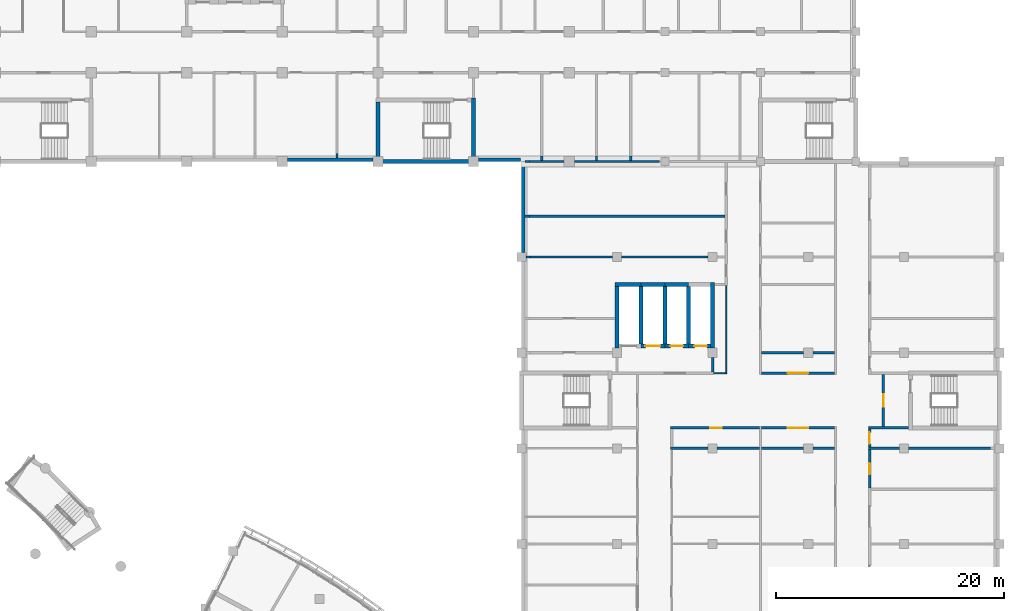
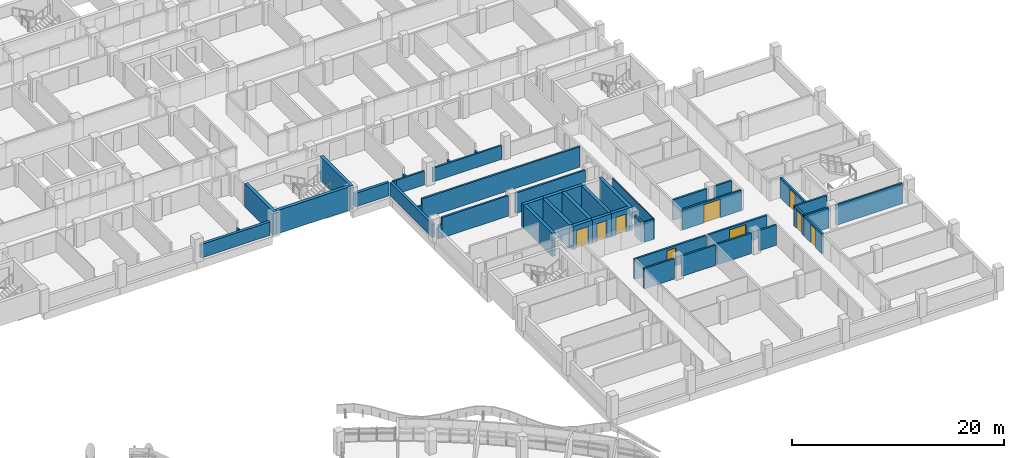
# One storey, part 56 of 89: 47 walls, 9 doors, 9 openings.
"""IFC4 building model written with IfcOpenShell, lengths in metres."""

from ifc_helpers import new_model, si_unit, direction, frame, frame_2d, origin, place, context, subcontext, project, spatial, rectangle, extrude, material, layer, layer_set, type_object, element, fill, save


model = new_model("IFC4")

# Units and contexts
model_context = context("Model", 3, precision=1e-05, world=origin(), true_north=direction((0.0, 1.0)))
body_context = subcontext(model_context, "Body", "Model", "MODEL_VIEW")
ifc_project = project(units=[si_unit("LENGTHUNIT", "METRE"), si_unit("AREAUNIT", "SQUARE_METRE"), si_unit("VOLUMEUNIT", "CUBIC_METRE"), si_unit("PLANEANGLEUNIT", "RADIAN"), si_unit("MASSUNIT", "GRAM", prefix="KILO")], contexts=[model_context])

# Site, building, storey
site_placement = place(None, origin())
site = spatial("IfcSite", under=ifc_project, at=site_placement, CompositionType="ELEMENT")
building_placement = place(site_placement, origin())
building = spatial("IfcBuilding", under=site, at=building_placement, Name="Bougainvillea Quay General Hospital", CompositionType="ELEMENT")
storey_placement = place(building_placement, frame((0.0, 0.0, 9.89990234375)))
storey = spatial("IfcBuildingStorey", under=building, at=storey_placement, Name="L01M", CompositionType="ELEMENT", Elevation=9.89990234375)

# Walls
ifc_material_1 = material(Name="Pale stone rainscreen cladding on insulated masonry backing, pale stone", Category="masonry")
ifc_layer_1 = layer(ifc_material_1, 0.300048828125)
ifc_layer_set_1 = layer_set([ifc_layer_1], Name="Pale stone rainscreen cladding on insulated masonry backing, pale stone")
wall_type_1 = type_object("IfcWallType", Name="External wall pale stone rainscreen 300", PredefinedType="STANDARD", material=ifc_layer_set_1)
wall_1_placement = place(storey_placement, frame((163.949951171875, 117.5400390625, 0.0), z_axis=(0.0, 0.0, 1.0), x_axis=(0.0, -1.0, 0.0)))
element("IfcWall", 1, at=wall_1_placement, inside=storey, type_object=wall_type_1, Name="External wall wall/V3/L01M/p0/00a", PredefinedType="STANDARD", context=body_context, shape_type="SweptSolid", body=[
    extrude(rectangle(XDim=7.93994140625, YDim=0.300048828125, at=frame_2d((3.969970703125, 0.0))), origin(), (0.0, 0.0, 1.0), 1.550048828125),
])
wall_2_placement = place(storey_placement, frame((143.25, 117.75, 0.0), z_axis=(0.0, 0.0, 1.0), x_axis=(1.0, 0.0, 0.0)))
element("IfcWall", 2, at=wall_2_placement, inside=storey, type_object=wall_type_1, Name="External wall wall/V4/L01M/p1/04e", PredefinedType="STANDARD", context=body_context, shape_type="SweptSolid", body=[
    extrude(rectangle(XDim=7.5, YDim=0.300048828125, at=frame_2d((3.75, 0.0))), origin(), (0.0, 0.0, 1.0), 1.550048828125),
])
wall_3_placement = place(storey_placement, frame((160.050048828125, 117.75, 0.0), z_axis=(0.0, 0.0, 1.0), x_axis=(1.0, 0.0, 0.0)))
element("IfcWall", 3, at=wall_3_placement, inside=storey, type_object=wall_type_1, Name="External wall wall/V4/L01M/p1/04f", PredefinedType="STANDARD", context=body_context, shape_type="SweptSolid", body=[
    extrude(rectangle(XDim=3.68994140625, YDim=0.300048828125, at=frame_2d((1.844970703125, 0.0))), origin(), (0.0, 0.0, 1.0), 1.550048828125),
])
ifc_material_2 = material(Name="Gypsum board partition on steel studs", Category="steel")
ifc_layer_2 = layer(ifc_material_2, 0.10009765625)
ifc_layer_set_2 = layer_set([ifc_layer_2], Name="Gypsum board partition on steel studs")
wall_type_2 = type_object("IfcWallType", Name="Partition 100 Gypsum board partition", PredefinedType="PARTITIONING", material=ifc_layer_set_2)
wall_4_placement = place(storey_placement, frame((181.800048828125, 98.949951171875, 0.0), z_axis=(0.0, 0.0, 1.0), x_axis=(0.0, 1.0, 0.0)))
element("IfcWall", 4, at=wall_4_placement, inside=storey, type_object=wall_type_2, Name="Partition 100 mm", PredefinedType="PARTITIONING", context=body_context, shape_type="SweptSolid", body=[
    extrude(rectangle(XDim=7.75, YDim=0.10009765625, at=frame_2d((3.875, 0.0))), origin(), (0.0, 0.0, 1.0), 2.35009765625),
])
wall_5_placement = place(storey_placement, frame((180.699951171875, 99.0, 0.0), z_axis=(0.0, 0.0, 1.0), x_axis=(1.0, 0.0, 0.0)))
element("IfcWall", 5, at=wall_5_placement, inside=storey, type_object=wall_type_2, Name="Partition 100 mm", PredefinedType="PARTITIONING", context=body_context, shape_type="SweptSolid", body=[
    extrude(rectangle(XDim=1.050048828125, YDim=0.10009765625, at=frame_2d((0.52490234375, 0.0))), origin(), (0.0, 0.0, 1.0), 2.35009765625),
])
ifc_material_3 = material(Name="Fire-rated autoclaved aerated block wall, plastered")
ifc_layer_3 = layer(ifc_material_3, 0.199951171875)
ifc_layer_set_3 = layer_set([ifc_layer_3], Name="Fire-rated autoclaved aerated block wall, plastered")
wall_type_3 = type_object("IfcWallType", Name="Partition 200 Fire-rated autoclaved aerated block wall EI 120", PredefinedType="SOLIDWALL", material=ifc_layer_set_3)
wall_6_placement = place(storey_placement, frame((175.949951171875, 117.60009765625, 0.0), z_axis=(0.0, 0.0, 1.0), x_axis=(-1.0, 0.0, 0.0)))
element("IfcWall", 6, at=wall_6_placement, inside=storey, type_object=wall_type_3, Name="Partition 200 mm EI 120", PredefinedType="SOLIDWALL", context=body_context, shape_type="SweptSolid", body=[
    extrude(rectangle(XDim=7.5, YDim=0.199951171875, at=frame_2d((3.75, 0.0))), origin(), (0.0, 0.0, 1.0), 1.580078125),
])
wall_7_placement = place(storey_placement, frame((167.550048828125, 117.60009765625, 0.0), z_axis=(0.0, 0.0, 1.0), x_axis=(-1.0, 0.0, 0.0)))
element("IfcWall", 7, at=wall_7_placement, inside=storey, type_object=wall_type_3, Name="Partition 200 mm EI 120", PredefinedType="SOLIDWALL", context=body_context, shape_type="SweptSolid", body=[
    extrude(rectangle(XDim=3.050048828125, YDim=0.199951171875, at=frame_2d((1.52490234375, 0.0))), origin(), (0.0, 0.0, 1.0), 1.580078125),
])
wall_8_placement = place(storey_placement, frame((164.5, 117.60009765625, 0.0), z_axis=(0.0, 0.0, 1.0), x_axis=(-1.0, 0.0, 0.0)))
element("IfcWall", 8, at=wall_8_placement, inside=storey, type_object=wall_type_3, Name="Partition 200 mm EI 120", PredefinedType="SOLIDWALL", context=body_context, shape_type="SweptSolid", body=[
    extrude(rectangle(XDim=0.39990234375, YDim=0.199951171875, at=frame_2d((0.199951171875, 0.0))), origin(), (0.0, 0.0, 1.0), 1.580078125),
])
wall_9_placement = place(storey_placement, frame((164.199951171875, 109.199951171875, 0.0), z_axis=(0.0, 0.0, 1.0), x_axis=(1.0, 0.0, 0.0)))
element("IfcWall", 9, at=wall_9_placement, inside=storey, type_object=wall_type_3, Name="Partition 200 mm EI 120", PredefinedType="SOLIDWALL", context=body_context, shape_type="SweptSolid", body=[
    extrude(rectangle(XDim=0.400146484375, YDim=0.199951171875, at=frame_2d((0.2001953125, 0.0))), origin(), (0.0, 0.0, 1.0), 1.580078125),
])
wall_10_placement = place(storey_placement, frame((164.60009765625, 109.199951171875, 0.0), z_axis=(0.0, 0.0, 1.0), x_axis=(1.0, 0.0, 0.0)))
element("IfcWall", 10, at=wall_10_placement, inside=storey, type_object=wall_type_3, Name="Partition 200 mm EI 120", PredefinedType="SOLIDWALL", context=body_context, shape_type="SweptSolid", body=[
    extrude(rectangle(XDim=7.199951171875, YDim=0.199951171875, at=frame_2d((3.60009765625, 0.0))), origin(), (0.0, 0.0, 1.0), 2.35009765625),
])
wall_11_placement = place(storey_placement, frame((172.60009765625, 109.199951171875, 0.0), z_axis=(0.0, 0.0, 1.0), x_axis=(1.0, 0.0, 0.0)))
element("IfcWall", 11, at=wall_11_placement, inside=storey, type_object=wall_type_3, Name="Partition 200 mm EI 120", PredefinedType="SOLIDWALL", context=body_context, shape_type="SweptSolid", body=[
    extrude(rectangle(XDim=7.599853515625, YDim=0.199951171875, at=frame_2d((3.7998046875, 0.0))), origin(), (0.0, 0.0, 1.0), 2.35009765625),
])
wall_12_placement = place(storey_placement, frame((164.10009765625, 112.798095703125, 0.0), z_axis=(0.0, 0.0, 1.0), x_axis=(1.0, 0.0, 0.0)))
element("IfcWall", 12, at=wall_12_placement, inside=storey, type_object=wall_type_3, Name="Partition 200 mm EI 120", PredefinedType="SOLIDWALL", context=body_context, shape_type="SweptSolid", body=[
    extrude(rectangle(XDim=0.39990234375, YDim=0.199951171875, at=frame_2d((0.199951171875, 0.0))), origin(), (0.0, 0.0, 1.0), 1.580078125),
])
wall_13_placement = place(storey_placement, frame((164.5, 112.798095703125, 0.0), z_axis=(0.0, 0.0, 1.0), x_axis=(1.0, 0.0, 0.0)))
element("IfcWall", 13, at=wall_13_placement, inside=storey, type_object=wall_type_3, Name="Partition 200 mm EI 120", PredefinedType="SOLIDWALL", context=body_context, shape_type="SweptSolid", body=[
    extrude(rectangle(XDim=17.199951171875, YDim=0.199951171875, at=frame_2d((8.60009765625, 0.0))), origin(), (0.0, 0.0, 1.0), 2.35009765625),
])
wall_14_placement = place(storey_placement, frame((194.300048828125, 92.39990234375, 0.0), z_axis=(0.0, 0.0, 1.0), x_axis=(1.0, 0.0, 0.0)))
element("IfcWall", 14, at=wall_14_placement, inside=storey, type_object=wall_type_3, Name="Partition 200 mm EI 120", PredefinedType="SOLIDWALL", context=body_context, shape_type="SweptSolid", body=[
    extrude(rectangle(XDim=2.699951171875, YDim=0.199951171875, at=frame_2d((1.35009765625, 0.0))), origin(), (0.0, 0.0, 1.0), 2.35009765625),
])
wall_15_placement = place(storey_placement, frame((197.800048828125, 92.39990234375, 0.0), z_axis=(0.0, 0.0, 1.0), x_axis=(1.0, 0.0, 0.0)))
element("IfcWall", 15, at=wall_15_placement, inside=storey, type_object=wall_type_3, Name="Partition 200 mm EI 120", PredefinedType="SOLIDWALL", context=body_context, shape_type="SweptSolid", body=[
    extrude(rectangle(XDim=7.199951171875, YDim=0.199951171875, at=frame_2d((3.60009765625, 0.0))), origin(), (0.0, 0.0, 1.0), 2.35009765625),
])
wall_16_placement = place(storey_placement, frame((197.824951171875, 94.199951171875, 0.0), z_axis=(0.0, 0.0, 1.0), x_axis=(-1.0, 0.0, 0.0)))
element("IfcWall", 16, at=wall_16_placement, inside=storey, type_object=wall_type_3, Name="Partition 200 mm EI 120", PredefinedType="SOLIDWALL", context=body_context, shape_type="SweptSolid", body=[
    extrude(rectangle(XDim=3.52490234375, YDim=0.199951171875, at=frame_2d((1.762451171875, 0.0))), origin(), (0.0, 0.0, 1.0), 2.35009765625),
])
for number, where, z_axis, x_axis, name in (
    (17, (165.597900390625, 117.699951171875, 0.0), (0.0, 0.0, 1.0), (0.0, 1.0, 0.0), "Partition 200 mm EI 120"),
    (18, (170.39794921875, 117.699951171875, 0.0), (0.0, 0.0, 1.0), (0.0, 1.0, 0.0), "Partition 200 mm EI 120"),
    (19, (173.39794921875, 117.699951171875, 0.0), (0.0, 0.0, 1.0), (0.0, 1.0, 0.0), "Partition 200 mm EI 120"),
):
    element("IfcWall", number, at=place(storey_placement, frame(where, z_axis=z_axis, x_axis=x_axis)), inside=storey, type_object=wall_type_3, Name=name, PredefinedType="SOLIDWALL", context=body_context, shape_type="SweptSolid", body=[
        extrude(rectangle(XDim=0.400146484375, YDim=0.199951171875, at=frame_2d((0.2001953125, 0.0))), origin(), (0.0, 0.0, 1.0), 1.580078125),
    ])
wall_17_placement = place(storey_placement, frame((184.89990234375, 92.39990234375, 0.0), z_axis=(0.0, 0.0, 1.0), x_axis=(1.0, 0.0, 0.0)))
element("IfcWall", 20, at=wall_17_placement, inside=storey, type_object=wall_type_3, Name="Partition 200 mm EI 120", PredefinedType="SOLIDWALL", context=body_context, shape_type="SweptSolid", body=[
    extrude(rectangle(XDim=3.7001953125, YDim=0.199951171875, at=frame_2d((1.85009765625, 0.0))), origin(), (0.0, 0.0, 1.0), 2.35009765625),
])
wall_18_placement = place(storey_placement, frame((189.39990234375, 92.39990234375, 0.0), z_axis=(0.0, 0.0, 1.0), x_axis=(1.0, 0.0, 0.0)))
element("IfcWall", 21, at=wall_18_placement, inside=storey, type_object=wall_type_3, Name="Partition 200 mm EI 120", PredefinedType="SOLIDWALL", context=body_context, shape_type="SweptSolid", body=[
    extrude(rectangle(XDim=1.900146484375, YDim=0.199951171875, at=frame_2d((0.9501953125, 0.0))), origin(), (0.0, 0.0, 1.0), 2.35009765625),
])

# Wall, opening, door
wall_19_placement = place(storey_placement, frame((184.89990234375, 94.199951171875, 0.0), z_axis=(0.0, 0.0, 1.0), x_axis=(1.0, 0.0, 0.0)))
wall_19 = element("IfcWall", 22, at=wall_19_placement, inside=storey, type_object=wall_type_3, Name="Partition 200 mm EI 120", PredefinedType="SOLIDWALL", context=body_context, shape_type="SweptSolid", body=[
    extrude(rectangle(XDim=6.400146484375, YDim=0.199951171875, at=frame_2d((3.2001953125, 0.0))), origin(), (0.0, 0.0, 1.0), 2.35009765625),
])
opening_1_placement = place(wall_19_placement, frame((2.300048828125, 0.0, 0.0)))
opening_1 = element("IfcOpeningElement", 23, at=opening_1_placement, cuts=wall_19, Name="Opening L01M.062", PredefinedType="OPENING", context=body_context, shape_type="SweptSolid", body=[
    extrude(rectangle(XDim=1.800048828125, YDim=2.10009765625, at=frame_2d((0.89990234375, 1.050048828125))), frame((0.0, 0.10986328125, 0.0), z_axis=(0.0, -1.0, 0.0), x_axis=(1.0, 0.0, 0.0)), (0.0, 0.0, 1.0), 0.219970703125),
])
ifc_material_4 = material(Name="Steel fire door leaves in steel frame", Category="steel")
door_type_1 = type_object("IfcDoorType", Name="Steel double leaf door 1800x2100 FD90", OperationType="DOUBLE_DOOR_SINGLE_SWING", PredefinedType="DOOR", material=ifc_material_4)
door_1_placement = place(opening_1_placement, frame((1.800048828125, 0.0, 0.0), z_axis=(0.0, 0.0, 1.0), x_axis=(-1.0, 0.0, 0.0)))
door_1 = element("IfcDoor", 24, at=door_1_placement, inside=storey, type_object=door_type_1, Name="DT03 L01M.062", OperationType="DOUBLE_DOOR_SINGLE_SWING", OverallHeight=2.10009765625, OverallWidth=1.800048828125, PredefinedType="DOOR", context=body_context, shape_type="SweptSolid", body=[
    extrude(rectangle(XDim=1.800048828125, YDim=2.10009765625, at=frame_2d((0.89990234375, 1.050048828125))), frame((0.0, 0.02490234375, 0.0), z_axis=(0.0, -1.0, 0.0), x_axis=(1.0, 0.0, 0.0)), (0.0, 0.0, 1.0), 0.050048828125),
])
fill(opening_1, door_1)

wall_20_placement = place(storey_placement, frame((184.89990234375, 99.0, 0.0), z_axis=(0.0, 0.0, 1.0), x_axis=(1.0, 0.0, 0.0)))
wall_20 = element("IfcWall", 25, at=wall_20_placement, inside=storey, type_object=wall_type_3, Name="Partition 200 mm EI 120", PredefinedType="SOLIDWALL", context=body_context, shape_type="SweptSolid", body=[
    extrude(rectangle(XDim=6.400146484375, YDim=0.199951171875, at=frame_2d((3.2001953125, 0.0))), origin(), (0.0, 0.0, 1.0), 2.35009765625),
])
opening_2_placement = place(wall_20_placement, frame((2.300048828125, 0.0, 0.0)))
opening_2 = element("IfcOpeningElement", 26, at=opening_2_placement, cuts=wall_20, Name="Opening L01M.073", PredefinedType="OPENING", context=body_context, shape_type="SweptSolid", body=[
    extrude(rectangle(XDim=1.800048828125, YDim=2.10009765625, at=frame_2d((0.89990234375, 1.050048828125))), frame((0.0, 0.10986328125, 0.0), z_axis=(0.0, -1.0, 0.0), x_axis=(1.0, 0.0, 0.0)), (0.0, 0.0, 1.0), 0.219970703125),
])
door_2_placement = place(opening_2_placement, origin())
door_2 = element("IfcDoor", 27, at=door_2_placement, inside=storey, type_object=door_type_1, Name="DT03 L01M.073", OperationType="DOUBLE_DOOR_SINGLE_SWING", OverallHeight=2.10009765625, OverallWidth=1.800048828125, PredefinedType="DOOR", context=body_context, shape_type="SweptSolid", body=[
    extrude(rectangle(XDim=1.800048828125, YDim=2.10009765625, at=frame_2d((0.89990234375, 1.050048828125))), frame((0.0, 0.02490234375, 0.0), z_axis=(0.0, -1.0, 0.0), x_axis=(1.0, 0.0, 0.0)), (0.0, 0.0, 1.0), 0.050048828125),
])
fill(opening_2, door_2)

# Walls
wall_21_placement = place(storey_placement, frame((184.89990234375, 100.800048828125, 0.0), z_axis=(0.0, 0.0, 1.0), x_axis=(1.0, 0.0, 0.0)))
element("IfcWall", 28, at=wall_21_placement, inside=storey, type_object=wall_type_3, Name="Partition 200 mm EI 120", PredefinedType="SOLIDWALL", context=body_context, shape_type="SweptSolid", body=[
    extrude(rectangle(XDim=3.7001953125, YDim=0.199951171875, at=frame_2d((1.85009765625, 0.0))), origin(), (0.0, 0.0, 1.0), 2.35009765625),
])
wall_22_placement = place(storey_placement, frame((189.39990234375, 100.800048828125, 0.0), z_axis=(0.0, 0.0, 1.0), x_axis=(1.0, 0.0, 0.0)))
element("IfcWall", 29, at=wall_22_placement, inside=storey, type_object=wall_type_3, Name="Partition 200 mm EI 120", PredefinedType="SOLIDWALL", context=body_context, shape_type="SweptSolid", body=[
    extrude(rectangle(XDim=1.900146484375, YDim=0.199951171875, at=frame_2d((0.9501953125, 0.0))), origin(), (0.0, 0.0, 1.0), 2.35009765625),
])

# Wall, opening, door
wall_23_placement = place(storey_placement, frame((195.60009765625, 94.300048828125, 0.0), z_axis=(0.0, 0.0, 1.0), x_axis=(0.0, 1.0, 0.0)))
wall_23 = element("IfcWall", 30, at=wall_23_placement, inside=storey, type_object=wall_type_3, Name="Partition 200 mm EI 120", PredefinedType="SOLIDWALL", context=body_context, shape_type="SweptSolid", body=[
    extrude(rectangle(XDim=4.599853515625, YDim=0.199951171875, at=frame_2d((2.2998046875, 0.0))), origin(), (0.0, 0.0, 1.0), 2.35009765625),
])
opening_3_placement = place(wall_23_placement, frame((1.75, 0.0, 0.0)))
opening_3 = element("IfcOpeningElement", 31, at=opening_3_placement, cuts=wall_23, Name="Opening L01M.051", PredefinedType="OPENING", context=body_context, shape_type="SweptSolid", body=[
    extrude(rectangle(XDim=1.10009765625, YDim=2.10009765625, at=frame_2d((0.550048828125, 1.050048828125))), frame((0.0, 0.10986328125, 0.0), z_axis=(0.0, -1.0, 0.0), x_axis=(1.0, 0.0, 0.0)), (0.0, 0.0, 1.0), 0.219970703125),
])
ifc_material_5 = material(Name="Steel fire door leaf in steel frame", Category="steel")
door_type_2 = type_object("IfcDoorType", Name="Steel single leaf door 1100x2100 FD60", OperationType="NOTDEFINED", PredefinedType="DOOR", material=ifc_material_5)
door_3_placement = place(opening_3_placement, frame((1.10009765625, 0.0, 0.0), z_axis=(0.0, 0.0, 1.0), x_axis=(-1.0, 0.0, 0.0)))
door_3 = element("IfcDoor", 32, at=door_3_placement, inside=storey, type_object=door_type_2, Name="DT04 L01M.051", OperationType="SINGLE_SWING_RIGHT", OverallHeight=2.10009765625, OverallWidth=1.10009765625, PredefinedType="DOOR", context=body_context, shape_type="SweptSolid", body=[
    extrude(rectangle(XDim=1.10009765625, YDim=2.10009765625, at=frame_2d((0.550048828125, 1.050048828125))), frame((0.0, 0.02490234375, 0.0), z_axis=(0.0, -1.0, 0.0), x_axis=(1.0, 0.0, 0.0)), (0.0, 0.0, 1.0), 0.050048828125),
])
fill(opening_3, door_3)

# Wall
wall_24_placement = place(storey_placement, frame((180.60009765625, 99.10009765625, 0.0), z_axis=(0.0, 0.0, 1.0), x_axis=(0.0, 1.0, 0.0)))
element("IfcWall", 33, at=wall_24_placement, inside=storey, type_object=wall_type_3, Name="Partition 200 mm EI 120", PredefinedType="SOLIDWALL", context=body_context, shape_type="SweptSolid", body=[
    extrude(rectangle(XDim=1.2998046875, YDim=0.199951171875, at=frame_2d((0.64990234375, 0.0))), origin(), (0.0, 0.0, 1.0), 2.35009765625),
])

# Wall, opening, door
wall_25_placement = place(storey_placement, frame((194.39990234375, 92.5, 0.0), z_axis=(0.0, 0.0, 1.0), x_axis=(0.0, 1.0, 0.0)))
wall_25 = element("IfcWall", 34, at=wall_25_placement, inside=storey, type_object=wall_type_3, Name="Partition 200 mm EI 120", PredefinedType="SOLIDWALL", context=body_context, shape_type="SweptSolid", body=[
    extrude(rectangle(XDim=1.60009765625, YDim=0.199951171875, at=frame_2d((0.800048828125, 0.0))), origin(), (0.0, 0.0, 1.0), 2.35009765625),
])
opening_4_placement = place(wall_25_placement, frame((0.300048828125, 0.0, 0.0)))
opening_4 = element("IfcOpeningElement", 35, at=opening_4_placement, cuts=wall_25, Name="Opening L01M.065", PredefinedType="OPENING", context=body_context, shape_type="SweptSolid", body=[
    extrude(rectangle(XDim=1.0, YDim=2.10009765625, at=frame_2d((0.5, 1.050048828125))), frame((0.0, 0.10986328125, 0.0), z_axis=(0.0, -1.0, 0.0), x_axis=(1.0, 0.0, 0.0)), (0.0, 0.0, 1.0), 0.219970703125),
])
door_type_3 = type_object("IfcDoorType", Name="Steel single leaf door 1000x2100 FD90", OperationType="NOTDEFINED", PredefinedType="DOOR", material=ifc_material_5)
door_4_placement = place(opening_4_placement, frame((1.0, 0.0, 0.0), z_axis=(0.0, 0.0, 1.0), x_axis=(-1.0, 0.0, 0.0)))
door_4 = element("IfcDoor", 36, at=door_4_placement, inside=storey, type_object=door_type_3, Name="DT11 L01M.065", OperationType="SINGLE_SWING_RIGHT", OverallHeight=2.10009765625, OverallWidth=1.0, PredefinedType="DOOR", context=body_context, shape_type="SweptSolid", body=[
    extrude(rectangle(XDim=1.0, YDim=2.10009765625, at=frame_2d((0.5, 1.050048828125))), frame((0.0, 0.02490234375, 0.0), z_axis=(0.0, -1.0, 0.0), x_axis=(1.0, 0.0, 0.0)), (0.0, 0.0, 1.0), 0.050048828125),
])
fill(opening_4, door_4)

# Walls
ifc_layer_4 = layer(ifc_material_3, 0.199951171875)
ifc_layer_set_4 = layer_set([ifc_layer_4], Name="Fire-rated autoclaved aerated block wall, plastered")
wall_type_4 = type_object("IfcWallType", Name="Partition 200 Fire-rated autoclaved aerated block wall EI 60", PredefinedType="SOLIDWALL", material=ifc_layer_set_4)
wall_26_placement = place(storey_placement, frame((147.597900390625, 117.89990234375, 0.0), z_axis=(0.0, 0.0, 1.0), x_axis=(0.0, 1.0, 0.0)))
element("IfcWall", 37, at=wall_26_placement, inside=storey, type_object=wall_type_4, Name="Partition 200 mm EI 60", PredefinedType="SOLIDWALL", context=body_context, shape_type="SweptSolid", body=[
    extrude(rectangle(XDim=0.400146484375, YDim=0.199951171875, at=frame_2d((0.2001953125, 0.0))), origin(), (0.0, 0.0, 1.0), 1.580078125),
])
wall_27_placement = place(storey_placement, frame((176.89990234375, 92.39990234375, 0.0), z_axis=(0.0, 0.0, 1.0), x_axis=(1.0, 0.0, 0.0)))
element("IfcWall", 38, at=wall_27_placement, inside=storey, type_object=wall_type_4, Name="Partition 200 mm EI 60", PredefinedType="SOLIDWALL", context=body_context, shape_type="SweptSolid", body=[
    extrude(rectangle(XDim=3.300048828125, YDim=0.199951171875, at=frame_2d((1.64990234375, 0.0))), origin(), (0.0, 0.0, 1.0), 2.35009765625),
])
wall_28_placement = place(storey_placement, frame((181.0, 92.39990234375, 0.0), z_axis=(0.0, 0.0, 1.0), x_axis=(1.0, 0.0, 0.0)))
element("IfcWall", 39, at=wall_28_placement, inside=storey, type_object=wall_type_4, Name="Partition 200 mm EI 60", PredefinedType="SOLIDWALL", context=body_context, shape_type="SweptSolid", body=[
    extrude(rectangle(XDim=3.699951171875, YDim=0.199951171875, at=frame_2d((1.85009765625, 0.0))), origin(), (0.0, 0.0, 1.0), 2.35009765625),
])

# Wall, opening, door
wall_29_placement = place(storey_placement, frame((176.89990234375, 94.199951171875, 0.0), z_axis=(0.0, 0.0, 1.0), x_axis=(1.0, 0.0, 0.0)))
wall_29 = element("IfcWall", 40, at=wall_29_placement, inside=storey, type_object=wall_type_4, Name="Partition 200 mm EI 60", PredefinedType="SOLIDWALL", context=body_context, shape_type="SweptSolid", body=[
    extrude(rectangle(XDim=7.800048828125, YDim=0.199951171875, at=frame_2d((3.89990234375, 0.0))), origin(), (0.0, 0.0, 1.0), 2.35009765625),
])
opening_5_placement = place(wall_29_placement, frame((3.5, 0.0, 0.0)))
opening_5 = element("IfcOpeningElement", 41, at=opening_5_placement, cuts=wall_29, Name="Opening L01M.058", PredefinedType="OPENING", context=body_context, shape_type="SweptSolid", body=[
    extrude(rectangle(XDim=1.0, YDim=2.10009765625, at=frame_2d((0.5, 1.050048828125))), frame((0.0, 0.10986328125, 0.0), z_axis=(0.0, -1.0, 0.0), x_axis=(1.0, 0.0, 0.0)), (0.0, 0.0, 1.0), 0.219970703125),
])
door_type_4 = type_object("IfcDoorType", Name="Steel single leaf door 1000x2100 FD60", OperationType="NOTDEFINED", PredefinedType="DOOR", material=ifc_material_5)
door_5_placement = place(opening_5_placement, frame((1.0, 0.0, 0.0), z_axis=(0.0, 0.0, 1.0), x_axis=(-1.0, 0.0, 0.0)))
door_5 = element("IfcDoor", 42, at=door_5_placement, inside=storey, type_object=door_type_4, Name="DT10 L01M.058", OperationType="SINGLE_SWING_LEFT", OverallHeight=2.10009765625, OverallWidth=1.0, PredefinedType="DOOR", context=body_context, shape_type="SweptSolid", body=[
    extrude(rectangle(XDim=1.0, YDim=2.10009765625, at=frame_2d((0.5, 1.050048828125))), frame((0.0, 0.02490234375, 0.0), z_axis=(0.0, -1.0, 0.0), x_axis=(1.0, 0.0, 0.0)), (0.0, 0.0, 1.0), 0.050048828125),
])
fill(opening_5, door_5)

wall_30_placement = place(storey_placement, frame((194.39990234375, 88.89990234375, 0.0), z_axis=(0.0, 0.0, 1.0), x_axis=(0.0, 1.0, 0.0)))
wall_30 = element("IfcWall", 43, at=wall_30_placement, inside=storey, type_object=wall_type_4, Name="Partition 200 mm EI 60", PredefinedType="SOLIDWALL", context=body_context, shape_type="SweptSolid", body=[
    extrude(rectangle(XDim=3.400146484375, YDim=0.199951171875, at=frame_2d((1.7001953125, 0.0))), origin(), (0.0, 0.0, 1.0), 2.35009765625),
])
opening_6_placement = place(wall_30_placement, frame((1.199951171875, 0.0, 0.0)))
opening_6 = element("IfcOpeningElement", 44, at=opening_6_placement, cuts=wall_30, Name="Opening L01M.066", PredefinedType="OPENING", context=body_context, shape_type="SweptSolid", body=[
    extrude(rectangle(XDim=1.0, YDim=2.10009765625, at=frame_2d((0.5, 1.050048828125))), frame((0.0, 0.10986328125, 0.0), z_axis=(0.0, -1.0, 0.0), x_axis=(1.0, 0.0, 0.0)), (0.0, 0.0, 1.0), 0.219970703125),
])
door_6_placement = place(opening_6_placement, frame((1.0, 0.0, 0.0), z_axis=(0.0, 0.0, 1.0), x_axis=(-1.0, 0.0, 0.0)))
door_6 = element("IfcDoor", 45, at=door_6_placement, inside=storey, type_object=door_type_4, Name="DT10 L01M.066", OperationType="SINGLE_SWING_RIGHT", OverallHeight=2.10009765625, OverallWidth=1.0, PredefinedType="DOOR", context=body_context, shape_type="SweptSolid", body=[
    extrude(rectangle(XDim=1.0, YDim=2.10009765625, at=frame_2d((0.5, 1.050048828125))), frame((0.0, 0.02490234375, 0.0), z_axis=(0.0, -1.0, 0.0), x_axis=(1.0, 0.0, 0.0)), (0.0, 0.0, 1.0), 0.050048828125),
])
fill(opening_6, door_6)

# Walls
ifc_material_6 = material(Name="Concrete C40", Category="concrete")
ifc_layer_5 = layer(ifc_material_6, 0.35009765625)
ifc_layer_set_5 = layer_set([ifc_layer_5], Name="Concrete C40")
wall_type_5 = type_object("IfcWallType", Name="RC SHEAR WALL 350 C40", PredefinedType="SHEAR", material=ifc_layer_set_5)
wall_31_placement = place(storey_placement, frame((151.199951171875, 117.425048828125, 0.0), z_axis=(0.0, 0.0, 1.0), x_axis=(0.0, 1.0, 0.0)))
element("IfcWall", 46, at=wall_31_placement, inside=storey, type_object=wall_type_5, Name="Shear wall L01M", PredefinedType="SHEAR", context=body_context, shape_type="SweptSolid", body=[
    extrude(rectangle(XDim=5.39990234375, YDim=0.35009765625, at=frame_2d((2.699951171875, 0.0))), origin(), (0.0, 0.0, 1.0), 2.7001953125),
])
wall_32_placement = place(storey_placement, frame((151.375, 117.60009765625, 0.0), z_axis=(0.0, 0.0, 1.0), x_axis=(1.0, 0.0, 0.0)))
element("IfcWall", 47, at=wall_32_placement, inside=storey, type_object=wall_type_5, Name="Shear wall L01M", PredefinedType="SHEAR", context=body_context, shape_type="SweptSolid", body=[
    extrude(rectangle(XDim=8.050048828125, YDim=0.35009765625, at=frame_2d((4.02490234375, 0.0))), origin(), (0.0, 0.0, 1.0), 2.7001953125),
])
wall_33_placement = place(storey_placement, frame((159.60009765625, 117.425048828125, 0.0), z_axis=(0.0, 0.0, 1.0), x_axis=(0.0, 1.0, 0.0)))
element("IfcWall", 48, at=wall_33_placement, inside=storey, type_object=wall_type_5, Name="Shear wall L01M", PredefinedType="SHEAR", context=body_context, shape_type="SweptSolid", body=[
    extrude(rectangle(XDim=5.75, YDim=0.35009765625, at=frame_2d((2.875, 0.0))), origin(), (0.0, 0.0, 1.0), 2.7001953125),
])
wall_34_placement = place(storey_placement, frame((172.02490234375, 106.800048828125, 0.0), z_axis=(0.0, 0.0, 1.0), x_axis=(1.0, 0.0, 0.0)))
element("IfcWall", 49, at=wall_34_placement, inside=storey, type_object=wall_type_5, Name="Shear wall L01M", PredefinedType="SHEAR", context=body_context, shape_type="SweptSolid", body=[
    extrude(rectangle(XDim=2.275146484375, YDim=0.35009765625, at=frame_2d((1.1376953125, 0.0))), origin(), (0.0, 0.0, 1.0), 2.7001953125),
])
wall_35_placement = place(storey_placement, frame((172.199951171875, 101.22509765625, 0.0), z_axis=(0.0, 0.0, 1.0), x_axis=(0.0, 1.0, 0.0)))
element("IfcWall", 50, at=wall_35_placement, inside=storey, type_object=wall_type_5, Name="Shear wall L01M", PredefinedType="SHEAR", context=body_context, shape_type="SweptSolid", body=[
    extrude(rectangle(XDim=5.39990234375, YDim=0.35009765625, at=frame_2d((2.699951171875, 0.0))), origin(), (0.0, 0.0, 1.0), 2.7001953125),
])

# Wall, opening, door
wall_36_placement = place(storey_placement, frame((174.300048828125, 101.39990234375, 0.0), z_axis=(0.0, 0.0, 1.0), x_axis=(1.0, 0.0, 0.0)))
wall_36 = element("IfcWall", 51, at=wall_36_placement, inside=storey, type_object=wall_type_5, Name="Shear wall L01M", PredefinedType="SHEAR", context=body_context, shape_type="SweptSolid", body=[
    extrude(rectangle(XDim=2.099853515625, YDim=0.35009765625, at=frame_2d((1.0498046875, 0.0))), origin(), (0.0, 0.0, 1.0), 2.7001953125),
])
opening_7_placement = place(wall_36_placement, frame((0.39990234375, 0.0, 0.0)))
opening_7 = element("IfcOpeningElement", 52, at=opening_7_placement, cuts=wall_36, Name="Opening LD-T1.2-L01M", PredefinedType="OPENING", context=body_context, shape_type="SweptSolid", body=[
    extrude(rectangle(XDim=1.300048828125, YDim=2.10009765625, at=frame_2d((0.64990234375, 1.050048828125))), frame((0.0, 0.18505859375, 0.0), z_axis=(0.0, -1.0, 0.0), x_axis=(1.0, 0.0, 0.0)), (0.0, 0.0, 1.0), 0.3701171875),
])
ifc_material_7 = material(Name="Stainless steel centre-opening landing door", Category="steel")
door_type_5 = type_object("IfcDoorType", Name="Lift landing door 1300x2100 E 120", OperationType="DOUBLE_DOOR_SLIDING", PredefinedType="DOOR", material=ifc_material_7)
door_7_placement = place(opening_7_placement, origin())
door_7 = element("IfcDoor", 53, at=door_7_placement, inside=storey, type_object=door_type_5, Name="Lift landing door LB-T1-2 L01M", OperationType="DOUBLE_DOOR_SLIDING", OverallHeight=2.10009765625, OverallWidth=1.300048828125, PredefinedType="DOOR", context=body_context, shape_type="SweptSolid", body=[
    extrude(rectangle(XDim=1.300048828125, YDim=2.10009765625, at=frame_2d((0.64990234375, 1.050048828125))), frame((0.0, 0.02490234375, 0.0), z_axis=(0.0, -1.0, 0.0), x_axis=(1.0, 0.0, 0.0)), (0.0, 0.0, 1.0), 0.050048828125),
])
fill(opening_7, door_7)

# Walls
wall_37_placement = place(storey_placement, frame((174.300048828125, 101.574951171875, 0.0), z_axis=(0.0, 0.0, 1.0), x_axis=(0.0, 1.0, 0.0)))
element("IfcWall", 54, at=wall_37_placement, inside=storey, type_object=wall_type_5, Name="Shear wall L01M", PredefinedType="SHEAR", context=body_context, shape_type="SweptSolid", body=[
    extrude(rectangle(XDim=5.050048828125, YDim=0.35009765625, at=frame_2d((2.52490234375, 0.0))), origin(), (0.0, 0.0, 1.0), 2.7001953125),
])
wall_38_placement = place(storey_placement, frame((174.300048828125, 106.800048828125, 0.0), z_axis=(0.0, 0.0, 1.0), x_axis=(1.0, 0.0, 0.0)))
element("IfcWall", 55, at=wall_38_placement, inside=storey, type_object=wall_type_5, Name="Shear wall L01M", PredefinedType="SHEAR", context=body_context, shape_type="SweptSolid", body=[
    extrude(rectangle(XDim=2.099853515625, YDim=0.35009765625, at=frame_2d((1.0498046875, 0.0))), origin(), (0.0, 0.0, 1.0), 2.7001953125),
])

# Wall, opening, door
wall_39_placement = place(storey_placement, frame((176.39990234375, 101.39990234375, 0.0), z_axis=(0.0, 0.0, 1.0), x_axis=(1.0, 0.0, 0.0)))
wall_39 = element("IfcWall", 56, at=wall_39_placement, inside=storey, type_object=wall_type_5, Name="Shear wall L01M", PredefinedType="SHEAR", context=body_context, shape_type="SweptSolid", body=[
    extrude(rectangle(XDim=2.10009765625, YDim=0.35009765625, at=frame_2d((1.050048828125, 0.0))), origin(), (0.0, 0.0, 1.0), 2.7001953125),
])
opening_8_placement = place(wall_39_placement, frame((0.5, 0.0, 0.0)))
opening_8 = element("IfcOpeningElement", 57, at=opening_8_placement, cuts=wall_39, Name="Opening LD-T1.3-L01M", PredefinedType="OPENING", context=body_context, shape_type="SweptSolid", body=[
    extrude(rectangle(XDim=1.10009765625, YDim=2.10009765625, at=frame_2d((0.550048828125, 1.050048828125))), frame((0.0, 0.18505859375, 0.0), z_axis=(0.0, -1.0, 0.0), x_axis=(1.0, 0.0, 0.0)), (0.0, 0.0, 1.0), 0.3701171875),
])
door_type_6 = type_object("IfcDoorType", Name="Lift landing door 1100x2100 E 120", OperationType="DOUBLE_DOOR_SLIDING", PredefinedType="DOOR", material=ifc_material_7)
door_8_placement = place(opening_8_placement, origin())
door_8 = element("IfcDoor", 58, at=door_8_placement, inside=storey, type_object=door_type_6, Name="Lift landing door LB-T1-3 L01M", OperationType="DOUBLE_DOOR_SLIDING", OverallHeight=2.10009765625, OverallWidth=1.10009765625, PredefinedType="DOOR", context=body_context, shape_type="SweptSolid", body=[
    extrude(rectangle(XDim=1.10009765625, YDim=2.10009765625, at=frame_2d((0.550048828125, 1.050048828125))), frame((0.0, 0.02490234375, 0.0), z_axis=(0.0, -1.0, 0.0), x_axis=(1.0, 0.0, 0.0)), (0.0, 0.0, 1.0), 0.050048828125),
])
fill(opening_8, door_8)

# Walls
wall_40_placement = place(storey_placement, frame((176.39990234375, 101.574951171875, 0.0), z_axis=(0.0, 0.0, 1.0), x_axis=(0.0, 1.0, 0.0)))
element("IfcWall", 59, at=wall_40_placement, inside=storey, type_object=wall_type_5, Name="Shear wall L01M", PredefinedType="SHEAR", context=body_context, shape_type="SweptSolid", body=[
    extrude(rectangle(XDim=5.050048828125, YDim=0.35009765625, at=frame_2d((2.52490234375, 0.0))), origin(), (0.0, 0.0, 1.0), 2.7001953125),
])
wall_41_placement = place(storey_placement, frame((176.39990234375, 106.800048828125, 0.0), z_axis=(0.0, 0.0, 1.0), x_axis=(1.0, 0.0, 0.0)))
element("IfcWall", 60, at=wall_41_placement, inside=storey, type_object=wall_type_5, Name="Shear wall L01M", PredefinedType="SHEAR", context=body_context, shape_type="SweptSolid", body=[
    extrude(rectangle(XDim=2.10009765625, YDim=0.35009765625, at=frame_2d((1.050048828125, 0.0))), origin(), (0.0, 0.0, 1.0), 2.7001953125),
])

# Wall, opening, door
wall_42_placement = place(storey_placement, frame((178.5, 101.39990234375, 0.0), z_axis=(0.0, 0.0, 1.0), x_axis=(1.0, 0.0, 0.0)))
wall_42 = element("IfcWall", 61, at=wall_42_placement, inside=storey, type_object=wall_type_5, Name="Shear wall L01M", PredefinedType="SHEAR", context=body_context, shape_type="SweptSolid", body=[
    extrude(rectangle(XDim=1.925048828125, YDim=0.35009765625, at=frame_2d((0.96240234375, 0.0))), origin(), (0.0, 0.0, 1.0), 2.7001953125),
])
opening_9_placement = place(wall_42_placement, frame((0.5, 0.0, 0.0)))
opening_9 = element("IfcOpeningElement", 62, at=opening_9_placement, cuts=wall_42, Name="Opening LD-T1.4-L01M", PredefinedType="OPENING", context=body_context, shape_type="SweptSolid", body=[
    extrude(rectangle(XDim=1.10009765625, YDim=2.10009765625, at=frame_2d((0.550048828125, 1.050048828125))), frame((0.0, 0.18505859375, 0.0), z_axis=(0.0, -1.0, 0.0), x_axis=(1.0, 0.0, 0.0)), (0.0, 0.0, 1.0), 0.3701171875),
])
door_9_placement = place(opening_9_placement, origin())
door_9 = element("IfcDoor", 63, at=door_9_placement, inside=storey, type_object=door_type_6, Name="Lift landing door LB-T1-4 L01M", OperationType="DOUBLE_DOOR_SLIDING", OverallHeight=2.10009765625, OverallWidth=1.10009765625, PredefinedType="DOOR", context=body_context, shape_type="SweptSolid", body=[
    extrude(rectangle(XDim=1.10009765625, YDim=2.10009765625, at=frame_2d((0.550048828125, 1.050048828125))), frame((0.0, 0.02490234375, 0.0), z_axis=(0.0, -1.0, 0.0), x_axis=(1.0, 0.0, 0.0)), (0.0, 0.0, 1.0), 0.050048828125),
])
fill(opening_9, door_9)

# Walls
wall_43_placement = place(storey_placement, frame((178.5, 101.574951171875, 0.0), z_axis=(0.0, 0.0, 1.0), x_axis=(0.0, 1.0, 0.0)))
element("IfcWall", 64, at=wall_43_placement, inside=storey, type_object=wall_type_5, Name="Shear wall L01M", PredefinedType="SHEAR", context=body_context, shape_type="SweptSolid", body=[
    extrude(rectangle(XDim=5.050048828125, YDim=0.35009765625, at=frame_2d((2.52490234375, 0.0))), origin(), (0.0, 0.0, 1.0), 2.7001953125),
])
wall_44_placement = place(storey_placement, frame((180.60009765625, 101.22509765625, 0.0), z_axis=(0.0, 0.0, 1.0), x_axis=(0.0, 1.0, 0.0)))
element("IfcWall", 65, at=wall_44_placement, inside=storey, type_object=wall_type_5, Name="Shear wall L01M", PredefinedType="SHEAR", context=body_context, shape_type="SweptSolid", body=[
    extrude(rectangle(XDim=5.75, YDim=0.35009765625, at=frame_2d((2.875, 0.0))), origin(), (0.0, 0.0, 1.0), 2.7001953125),
])

save(model, "model.ifc")
